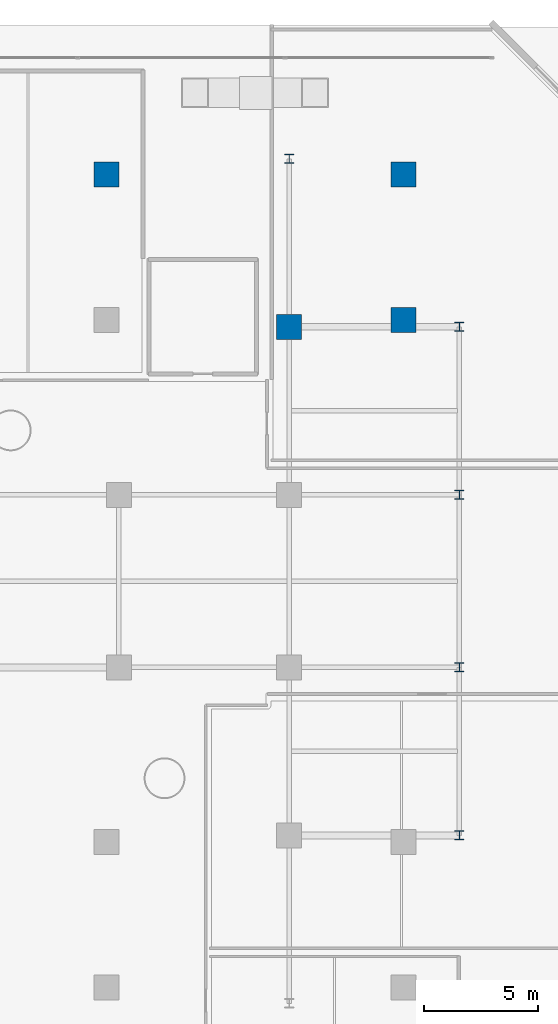
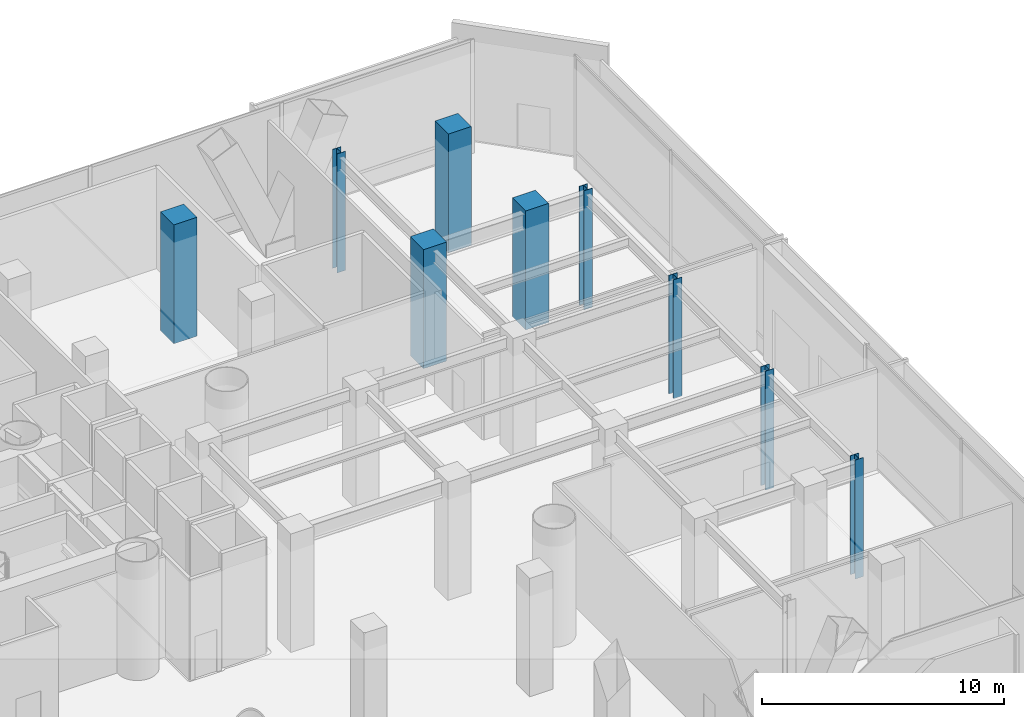
# One storey, part 4 of 40: 9 columns.
"""IFC4 building model written with IfcOpenShell, lengths in metres."""

from ifc_helpers import new_model, si_unit, direction, frame, origin, origin_2d, place, context, subcontext, project, spatial, rectangle, i_section, extrude, material, material_profile, profile_set, type_object, element, save


model = new_model("IFC4")

# Units and contexts
model_context = context("Model", 3, precision=1e-05, world=origin(), true_north=direction((0.0, 1.0)))
body_context = subcontext(model_context, "Body", "Model", "MODEL_VIEW")
ifc_project = project(units=[si_unit("LENGTHUNIT", "METRE"), si_unit("AREAUNIT", "SQUARE_METRE"), si_unit("VOLUMEUNIT", "CUBIC_METRE"), si_unit("PLANEANGLEUNIT", "RADIAN"), si_unit("MASSUNIT", "GRAM", prefix="KILO")], contexts=[model_context])

# Site, building, storey
site_placement = place(None, origin())
site = spatial("IfcSite", under=ifc_project, at=site_placement, CompositionType="ELEMENT")
building_placement = place(site_placement, origin())
building = spatial("IfcBuilding", under=site, at=building_placement, Name="Qianvela Tower", CompositionType="ELEMENT")
storey_placement = place(building_placement, origin())
storey = spatial("IfcBuildingStorey", under=building, at=storey_placement, Name="L00", CompositionType="ELEMENT", Elevation=0.0)

# Columns
ifc_material_1 = material(Name="Steel Q355B", Category="steel")
ifc_material_profile_1 = material_profile(ifc_material_1, i_section(OverallWidth=0.39990234375, OverallDepth=0.39990234375, WebThickness=0.012939453125, FlangeThickness=0.02099609375, at=origin_2d()), Name="HW400x400x13x21")
ifc_profile_set_1 = profile_set([ifc_material_profile_1], Name="Steel Q355B")
column_type_1 = type_object("IfcColumnType", Name="COL-HW-400", PredefinedType="COLUMN", material=ifc_profile_set_1)
for number, where, z_axis, x_axis, name in (
    (1, (60.0, 44.60009765625, 0.0), (0.0, 0.0, 1.0), (1.0, 0.0, 0.0), "L00 Podium Grid Column P43"),
    (2, (67.5, 14.800048828125, 0.0), (0.0, 0.0, 1.0), (1.0, 0.0, 0.0), "L00 Podium Grid Column P44"),
    (3, (67.5, 22.199951171875, 0.0), (0.0, 0.0, 1.0), (1.0, 0.0, 0.0), "L00 Podium Grid Column P45"),
    (4, (67.5, 29.800048828125, 0.0), (0.0, 0.0, 1.0), (1.0, 0.0, 0.0), "L00 Podium Grid Column P46"),
    (5, (67.5, 37.199951171875, 0.0), (0.0, 0.0, 1.0), (1.0, 0.0, 0.0), "L00 Podium Grid Column P47"),
):
    element("IfcColumn", number, at=place(storey_placement, frame(where, z_axis=z_axis, x_axis=x_axis)), inside=storey, type_object=column_type_1, Name=name, PredefinedType="COLUMN", context=body_context, shape_type="SweptSolid", body=[
        extrude(i_section(OverallWidth=0.39990234375, OverallDepth=0.39990234375, WebThickness=0.012939453125, FlangeThickness=0.02099609375, at=origin_2d()), origin(), (0.0, 0.0, 1.0), 6.0),
    ])
ifc_material_2 = material(Name="Concrete C60", Category="concrete")
ifc_material_profile_2 = material_profile(ifc_material_2, rectangle(XDim=1.10009765625, YDim=1.10009765625, at=origin_2d()), Name="RC-COL-1100x1100")
ifc_profile_set_2 = profile_set([ifc_material_profile_2], Name="Concrete C60")
column_type_2 = type_object("IfcColumnType", Name="COL-RC-1100", PredefinedType="COLUMN", material=ifc_profile_set_2)
for number, where, z_axis, x_axis, name in (
    (6, (51.955322265625, 43.89990234375, 0.0), (0.0, 0.0, 1.0), (1.0, 0.0, 0.0), "L00 Concourse Colonnade Column VC-N3-L-B1"),
    (7, (65.044677734375, 43.89990234375, 0.0), (0.0, 0.0, 1.0), (1.0, 0.0, 0.0), "L00 Concourse Colonnade Column VC-N3-R-B1"),
    (8, (65.044677734375, 37.5, 0.0), (0.0, 0.0, 1.0), (1.0, 0.0, 0.0), "L00 Concourse Colonnade Column VC-N3-R-B2"),
    (9, (60.0, 37.199951171875, 0.0), (0.0, 0.0, 1.0), (1.0, 0.0, 0.0), "L00 Podium Grid Column P42"),
):
    element("IfcColumn", number, at=place(storey_placement, frame(where, z_axis=z_axis, x_axis=x_axis)), inside=storey, type_object=column_type_2, Name=name, PredefinedType="COLUMN", context=body_context, shape_type="SweptSolid", body=[
        extrude(rectangle(XDim=1.10009765625, YDim=1.10009765625, at=origin_2d()), origin(), (0.0, 0.0, 1.0), 6.0),
    ])

save(model, "model.ifc")
